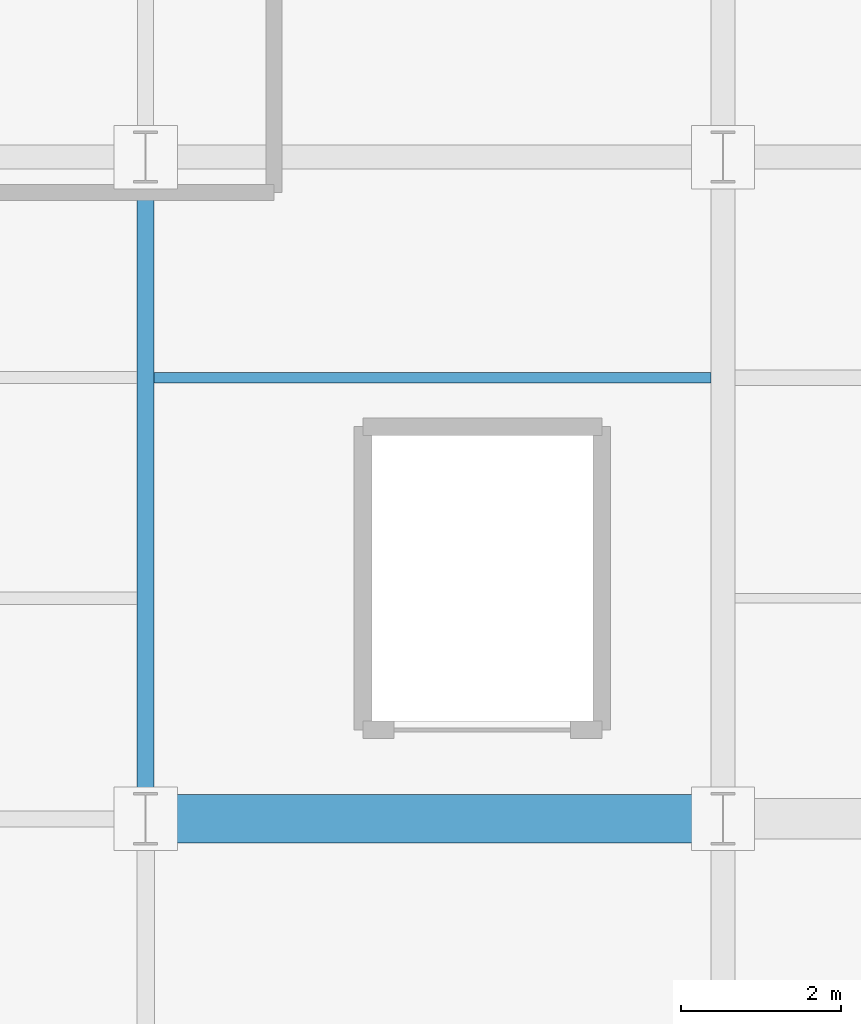
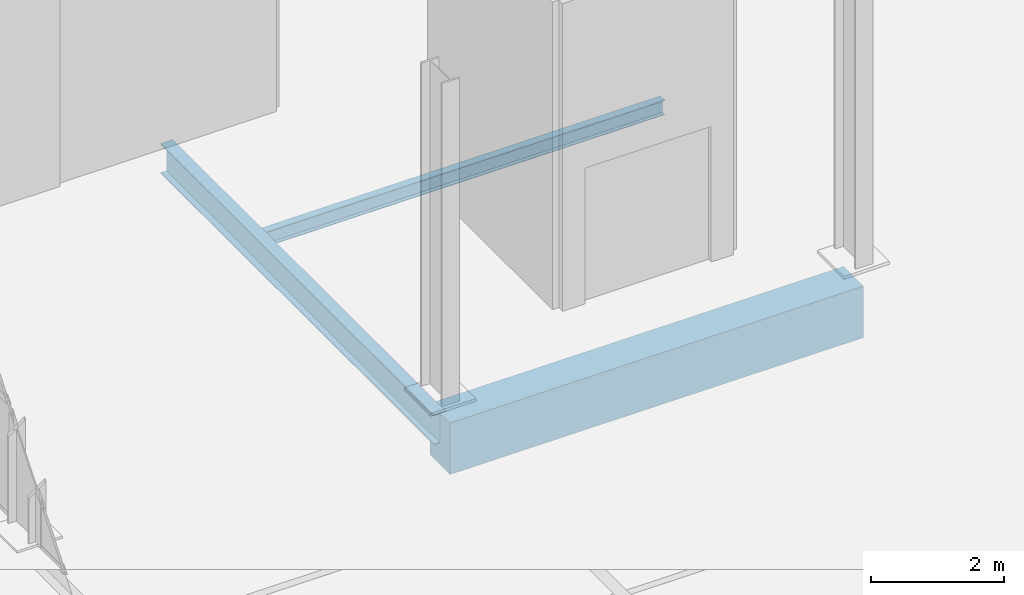
# One storey, part 32 of 144: 3 beams.
"""IFC4 building model written with IfcOpenShell, lengths in metres."""

from ifc_helpers import new_model, si_unit, direction, frame, origin, origin_2d, place, context, subcontext, project, spatial, rectangle, i_section, extrude, material, material_profile, profile_set, type_object, element, save


model = new_model("IFC4")

# Units and contexts
model_context = context("Model", 3, precision=1e-05, world=origin(), true_north=direction((0.0, 1.0)))
body_context = subcontext(model_context, "Body", "Model", "MODEL_VIEW")
ifc_project = project(units=[si_unit("LENGTHUNIT", "METRE"), si_unit("AREAUNIT", "SQUARE_METRE"), si_unit("VOLUMEUNIT", "CUBIC_METRE"), si_unit("PLANEANGLEUNIT", "RADIAN"), si_unit("MASSUNIT", "GRAM", prefix="KILO")], contexts=[model_context])

# Site, building, storey
site_placement = place(None, origin())
site = spatial("IfcSite", under=ifc_project, at=site_placement, CompositionType="ELEMENT")
building_placement = place(site_placement, origin())
building = spatial("IfcBuilding", under=site, at=building_placement, Name="Sundgate Opera House", CompositionType="ELEMENT")
storey_placement = place(building_placement, origin())
storey = spatial("IfcBuildingStorey", under=building, at=storey_placement, Name="L00", CompositionType="ELEMENT", Elevation=0.0)

# Beams
ifc_material_1 = material(Name="Steel S355J2", Category="steel")
ifc_material_profile_1 = material_profile(ifc_material_1, i_section(OverallWidth=0.2099609375, OverallDepth=0.550048828125, WebThickness=0.010986328125, FlangeThickness=0.01708984375, at=origin_2d()), Name="IPE 550")
ifc_profile_set_1 = profile_set([ifc_material_profile_1], Name="Steel S355J2")
beam_type_1 = type_object("IfcBeamType", Name="BM-GR-IPE550", PredefinedType="BEAM", material=ifc_profile_set_1)
beam_1_placement = place(storey_placement, frame((102.60009765625, 16.5, -0.594970703125), z_axis=(0.0, 1.0, 0.0), x_axis=(-1.0, 0.0, 0.0)))
element("IfcBeam", 1, at=beam_1_placement, inside=storey, type_object=beam_type_1, Name="L00 Primary N-S Girder B0206", PredefinedType="BEAM", context=body_context, shape_type="SweptSolid", body=[
    extrude(i_section(OverallWidth=0.2099609375, OverallDepth=0.550048828125, WebThickness=0.010986328125, FlangeThickness=0.01708984375, at=origin_2d()), origin(), (0.0, 0.0, 1.0), 8.25),
])
ifc_material_2 = material(Name="Steel S355J2", Category="steel")
ifc_material_profile_2 = material_profile(ifc_material_2, i_section(OverallWidth=0.135009765625, OverallDepth=0.27001953125, WebThickness=0.006591796875, FlangeThickness=0.01025390625, at=origin_2d()), Name="IPE 270")
ifc_profile_set_2 = profile_set([ifc_material_profile_2], Name="Steel S355J2")
beam_type_2 = type_object("IfcBeamType", Name="BM-JS-IPE270", PredefinedType="JOIST", material=ifc_profile_set_2)
beam_2_placement = place(storey_placement, frame((102.705078125, 22.0, -0.455078125), z_axis=(1.0, 0.0, 0.0), x_axis=(0.0, 1.0, 0.0)))
element("IfcBeam", 2, at=beam_2_placement, inside=storey, type_object=beam_type_2, Name="L00 Secondary Floor Joist B0663", PredefinedType="JOIST", context=body_context, shape_type="SweptSolid", body=[
    extrude(i_section(OverallWidth=0.135009765625, OverallDepth=0.27001953125, WebThickness=0.006591796875, FlangeThickness=0.01025390625, at=origin_2d()), origin(), (0.0, 0.0, 1.0), 6.94482421875),
])
ifc_material_3 = material(Name="Concrete C40/50", Category="concrete")
ifc_material_profile_3 = material_profile(ifc_material_3, rectangle(XDim=0.60009765625, YDim=0.949951171875, at=origin_2d()), Name="RC 600x950")
ifc_profile_set_3 = profile_set([ifc_material_profile_3], Name="Concrete C40/50")
beam_type_3 = type_object("IfcBeamType", Name="BM-RC-600x950", PredefinedType="BEAM", material=ifc_profile_set_3)
beam_3_placement = place(storey_placement, frame((102.60009765625, 16.5, -0.794921875), z_axis=(1.0, 0.0, 0.0), x_axis=(0.0, 1.0, 0.0)))
element("IfcBeam", 3, at=beam_3_placement, inside=storey, type_object=beam_type_3, Name="L00 Primary E-W Girder B0361", PredefinedType="BEAM", context=body_context, shape_type="SweptSolid", body=[
    extrude(rectangle(XDim=0.60009765625, YDim=0.949951171875, at=origin_2d()), origin(), (0.0, 0.0, 1.0), 7.199951171875),
])

save(model, "model.ifc")
